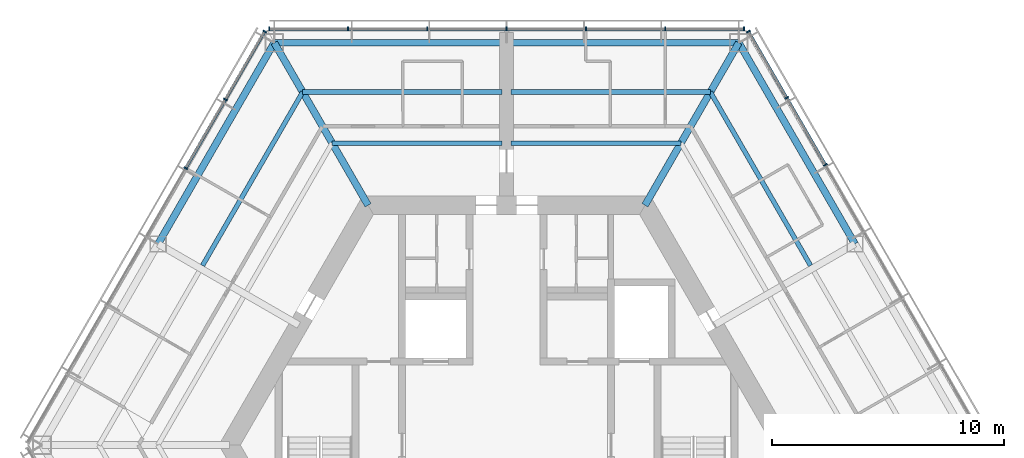
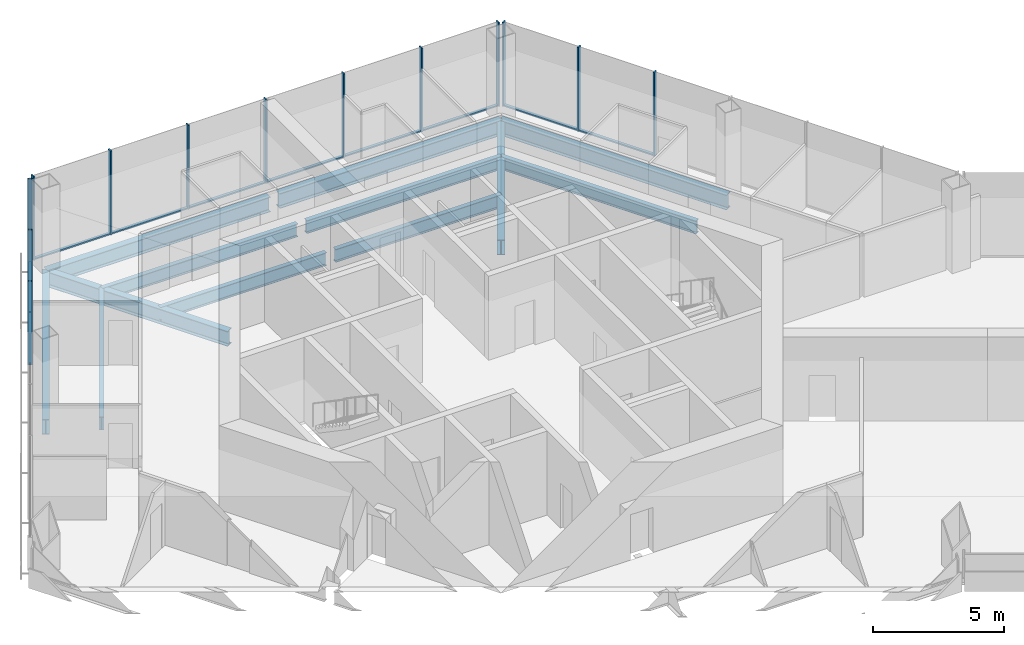
# One storey, part 5 of 13: 23 members, 12 beams, 3 elements without a shape of their own.
"""IFC4 building model written with IfcOpenShell, lengths in metres."""

from ifc_helpers import new_model, si_unit, direction, frame, origin, origin_2d, place, context, subcontext, project, spatial, rectangle, i_section, extrude, material, material_profile, profile_set, type_object, element, aggregate, save


model = new_model("IFC4")

# Units and contexts
model_context = context("Model", 3, precision=1e-05, world=origin(), true_north=direction((0.0, 1.0)))
body_context = subcontext(model_context, "Body", "Model", "MODEL_VIEW")
ifc_project = project(units=[si_unit("LENGTHUNIT", "METRE"), si_unit("AREAUNIT", "SQUARE_METRE"), si_unit("VOLUMEUNIT", "CUBIC_METRE"), si_unit("PLANEANGLEUNIT", "RADIAN"), si_unit("MASSUNIT", "GRAM", prefix="KILO")], contexts=[model_context])

# Site, building, storey
site_placement = place(None, origin())
site = spatial("IfcSite", under=ifc_project, at=site_placement, CompositionType="ELEMENT")
building_placement = place(site_placement, origin())
building = spatial("IfcBuilding", under=site, at=building_placement, Name="Kasaneha Research Tower", CompositionType="ELEMENT")
storey_placement = place(building_placement, frame((0.0, 0.0, 275.199951171875)))
storey = spatial("IfcBuildingStorey", under=building, at=storey_placement, Name="L69", CompositionType="ELEMENT", Elevation=275.199951171875)

# Beams
ifc_material_1 = material(Name="Steel SN490B", Category="steel")
ifc_material_profile_1 = material_profile(ifc_material_1, i_section(OverallWidth=0.199951171875, OverallDepth=0.60009765625, WebThickness=0.010986328125, FlangeThickness=0.01708984375, FilletRadius=0.012939453125, at=origin_2d()), Name="H-600x200x11x17")
ifc_profile_set_1 = profile_set([ifc_material_profile_1], Name="Steel SN490B")
beam_type_1 = type_object("IfcBeamType", Name="B1-3 secondary beam H-600x200x11x17", PredefinedType="JOIST", material=ifc_profile_set_1)
beam_1_placement = place(storey_placement, frame((8.775634765625, 15.199951171875, -0.449951171875), z_axis=(0.500017275495, -0.866015429543, 0.0), x_axis=(0.866015429543, 0.500017275495, 0.0)))
element("IfcBeam", 1, at=beam_1_placement, inside=storey, type_object=beam_type_1, Name="Secondary beam RS030R2 L69", PredefinedType="JOIST", context=body_context, shape_type="SweptSolid", body=[
    extrude(i_section(OverallWidth=0.199951171875, OverallDepth=0.60009765625, WebThickness=0.010986328125, FlangeThickness=0.01708984375, FilletRadius=0.012939453125, at=origin_2d()), origin(), (0.0, 0.0, 1.0), 8.625732421875),
])
beam_2_placement = place(storey_placement, frame((7.505615234375, 13.0, -0.449951171875), z_axis=(-1.0, 0.0, 0.0), x_axis=(0.0, -1.0, 0.0)))
element("IfcBeam", 2, at=beam_2_placement, inside=storey, type_object=beam_type_1, Name="Secondary beam RS090L1 L69", PredefinedType="JOIST", context=body_context, shape_type="SweptSolid", body=[
    extrude(i_section(OverallWidth=0.199951171875, OverallDepth=0.60009765625, WebThickness=0.010986328125, FlangeThickness=0.01708984375, FilletRadius=0.012939453125, at=origin_2d()), origin(), (0.0, 0.0, 1.0), 7.3056640625),
])
beam_3_placement = place(storey_placement, frame((8.775634765625, 15.199951171875, -0.449951171875), z_axis=(-1.0, 0.0, 0.0), x_axis=(0.0, -1.0, 0.0)))
element("IfcBeam", 3, at=beam_3_placement, inside=storey, type_object=beam_type_1, Name="Secondary beam RS090L2 L69", PredefinedType="JOIST", context=body_context, shape_type="SweptSolid", body=[
    extrude(i_section(OverallWidth=0.199951171875, OverallDepth=0.60009765625, WebThickness=0.010986328125, FlangeThickness=0.01708984375, FilletRadius=0.012939453125, at=origin_2d()), origin(), (0.0, 0.0, 1.0), 8.57568359375),
])
beam_4_placement = place(storey_placement, frame((-7.505615234375, 13.0, -0.449951171875), z_axis=(1.0, 0.0, 0.0), x_axis=(0.0, 1.0, 0.0)))
element("IfcBeam", 4, at=beam_4_placement, inside=storey, type_object=beam_type_1, Name="Secondary beam RS090R1 L69", PredefinedType="JOIST", context=body_context, shape_type="SweptSolid", body=[
    extrude(i_section(OverallWidth=0.199951171875, OverallDepth=0.60009765625, WebThickness=0.010986328125, FlangeThickness=0.01708984375, FilletRadius=0.012939453125, at=origin_2d()), origin(), (0.0, 0.0, 1.0), 7.3056640625),
])
beam_5_placement = place(storey_placement, frame((-8.775634765625, 15.199951171875, -0.449951171875), z_axis=(1.0, 0.0, 0.0), x_axis=(0.0, 1.0, 0.0)))
element("IfcBeam", 5, at=beam_5_placement, inside=storey, type_object=beam_type_1, Name="Secondary beam RS090R2 L69", PredefinedType="JOIST", context=body_context, shape_type="SweptSolid", body=[
    extrude(i_section(OverallWidth=0.199951171875, OverallDepth=0.60009765625, WebThickness=0.010986328125, FlangeThickness=0.01708984375, FilletRadius=0.012939453125, at=origin_2d()), origin(), (0.0, 0.0, 1.0), 8.57568359375),
])
beam_6_placement = place(storey_placement, frame((-8.775634765625, 15.199951171875, -0.449951171875), z_axis=(-0.500017275495, -0.866015429543, 0.0), x_axis=(0.866015429543, -0.500017275495, 0.0)))
element("IfcBeam", 6, at=beam_6_placement, inside=storey, type_object=beam_type_1, Name="Secondary beam RS150L2 L69", PredefinedType="JOIST", context=body_context, shape_type="SweptSolid", body=[
    extrude(i_section(OverallWidth=0.199951171875, OverallDepth=0.60009765625, WebThickness=0.010986328125, FlangeThickness=0.01708984375, FilletRadius=0.012939453125, at=origin_2d()), origin(), (0.0, 0.0, 1.0), 8.625732421875),
])

# Curtain wall, members
ifc_material_2 = material(Name="Glass and aluminium", Category="aluminium")
curtain_wall_type = type_object("IfcCurtainWallType", Name="Crown curtain wall", PredefinedType="USERDEFINED", material=ifc_material_2)
curtain_wall_1_placement = place(storey_placement, origin())
curtain_wall_1 = element("IfcCurtainWall", 7, at=curtain_wall_1_placement, inside=storey, type_object=curtain_wall_type, Name="CW-C L69 run 01a", ObjectType="UNITISED CURTAIN WALL", PredefinedType="USERDEFINED")
ifc_material_3 = material(Name="Aluminium 6063-T6", Category="aluminium")
ifc_material_profile_2 = material_profile(ifc_material_3, rectangle(XDim=0.06005859375, YDim=0.179931640625, at=origin_2d()), Name="CW-C mullion 60x180")
ifc_profile_set_2 = profile_set([ifc_material_profile_2], Name="Aluminium 6063-T6")
member_type_1 = type_object("IfcMemberType", Name="CW-C mullion", PredefinedType="MULLION", material=ifc_profile_set_2)
member_1_placement = place(storey_placement, frame((13.727294921875, 12.064453125, 0.0), z_axis=(0.0, 0.0, 1.0), x_axis=(-0.499999979232, 0.866025415775, 0.0)))
member_1 = element("IfcMember", 8, at=member_1_placement, type_object=member_type_1, Name="CW-C mullion 5", PredefinedType="MULLION", context=body_context, shape_type="SweptSolid", body=[
    extrude(rectangle(XDim=0.06005859375, YDim=0.179931640625, at=origin_2d()), origin(), (0.0, 0.0, 1.0), 3.900146484375),
])
member_2_placement = place(storey_placement, frame((12.061767578125, 14.94921875, 0.0), z_axis=(0.0, 0.0, 1.0), x_axis=(-0.499999979232, 0.866025415775, 0.0)))
member_2 = element("IfcMember", 9, at=member_2_placement, type_object=member_type_1, Name="CW-C mullion 6", PredefinedType="MULLION", context=body_context, shape_type="SweptSolid", body=[
    extrude(rectangle(XDim=0.06005859375, YDim=0.179931640625, at=origin_2d()), origin(), (0.0, 0.0, 1.0), 3.900146484375),
])
member_3_placement = place(storey_placement, frame((10.411376953125, 17.807861328125, 0.0), z_axis=(0.0, 0.0, 1.0), x_axis=(-0.499999979232, 0.866025415775, 0.0)))
member_3 = element("IfcMember", 10, at=member_3_placement, type_object=member_type_1, Name="CW-C mullion 7", PredefinedType="MULLION", context=body_context, shape_type="SweptSolid", body=[
    extrude(rectangle(XDim=0.06005859375, YDim=0.179931640625, at=origin_2d()), origin(), (0.0, 0.0, 1.0), 3.900146484375),
])

curtain_wall_2_placement = place(storey_placement, origin())
curtain_wall_2 = element("IfcCurtainWall", 11, at=curtain_wall_2_placement, inside=storey, type_object=curtain_wall_type, Name="CW-C L69 run 02a", ObjectType="UNITISED CURTAIN WALL", PredefinedType="USERDEFINED")
member_4_placement = place(storey_placement, frame((10.21630859375, 17.92041015625, 0.0), z_axis=(0.0, 0.0, 1.0), x_axis=(-1.0, 0.0, 0.0)))
member_4 = element("IfcMember", 12, at=member_4_placement, type_object=member_type_1, Name="CW-C mullion 1", PredefinedType="MULLION", context=body_context, shape_type="SweptSolid", body=[
    extrude(rectangle(XDim=0.06005859375, YDim=0.179931640625, at=origin_2d()), origin(), (0.0, 0.0, 1.0), 3.900146484375),
])
member_5_placement = place(storey_placement, frame((6.8310546875, 17.92041015625, 0.0), z_axis=(0.0, 0.0, 1.0), x_axis=(-1.0, 0.0, 0.0)))
member_5 = element("IfcMember", 13, at=member_5_placement, type_object=member_type_1, Name="CW-C mullion 2", PredefinedType="MULLION", context=body_context, shape_type="SweptSolid", body=[
    extrude(rectangle(XDim=0.06005859375, YDim=0.179931640625, at=origin_2d()), origin(), (0.0, 0.0, 1.0), 3.900146484375),
])
member_6_placement = place(storey_placement, frame((3.41552734375, 17.92041015625, 0.0), z_axis=(0.0, 0.0, 1.0), x_axis=(-1.0, 0.0, 0.0)))
member_6 = element("IfcMember", 14, at=member_6_placement, type_object=member_type_1, Name="CW-C mullion 3", PredefinedType="MULLION", context=body_context, shape_type="SweptSolid", body=[
    extrude(rectangle(XDim=0.06005859375, YDim=0.179931640625, at=origin_2d()), origin(), (0.0, 0.0, 1.0), 3.900146484375),
])
member_7_placement = place(storey_placement, frame((0.0, 17.92041015625, 0.0), z_axis=(0.0, 0.0, 1.0), x_axis=(-1.0, 0.0, 0.0)))
member_7 = element("IfcMember", 15, at=member_7_placement, type_object=member_type_1, Name="CW-C mullion 4", PredefinedType="MULLION", context=body_context, shape_type="SweptSolid", body=[
    extrude(rectangle(XDim=0.06005859375, YDim=0.179931640625, at=origin_2d()), origin(), (0.0, 0.0, 1.0), 3.900146484375),
])
member_8_placement = place(storey_placement, frame((-3.41552734375, 17.92041015625, 0.0), z_axis=(0.0, 0.0, 1.0), x_axis=(-1.0, 0.0, 0.0)))
member_8 = element("IfcMember", 16, at=member_8_placement, type_object=member_type_1, Name="CW-C mullion 5", PredefinedType="MULLION", context=body_context, shape_type="SweptSolid", body=[
    extrude(rectangle(XDim=0.06005859375, YDim=0.179931640625, at=origin_2d()), origin(), (0.0, 0.0, 1.0), 3.900146484375),
])
member_9_placement = place(storey_placement, frame((-6.8310546875, 17.92041015625, 0.0), z_axis=(0.0, 0.0, 1.0), x_axis=(-1.0, 0.0, 0.0)))
member_9 = element("IfcMember", 17, at=member_9_placement, type_object=member_type_1, Name="CW-C mullion 6", PredefinedType="MULLION", context=body_context, shape_type="SweptSolid", body=[
    extrude(rectangle(XDim=0.06005859375, YDim=0.179931640625, at=origin_2d()), origin(), (0.0, 0.0, 1.0), 3.900146484375),
])
member_10_placement = place(storey_placement, frame((-10.21630859375, 17.92041015625, 0.0), z_axis=(0.0, 0.0, 1.0), x_axis=(-1.0, 0.0, 0.0)))
member_10 = element("IfcMember", 18, at=member_10_placement, type_object=member_type_1, Name="CW-C mullion 7", PredefinedType="MULLION", context=body_context, shape_type="SweptSolid", body=[
    extrude(rectangle(XDim=0.06005859375, YDim=0.179931640625, at=origin_2d()), origin(), (0.0, 0.0, 1.0), 3.900146484375),
])

curtain_wall_3_placement = place(storey_placement, origin())
curtain_wall_3 = element("IfcCurtainWall", 19, at=curtain_wall_3_placement, inside=storey, type_object=curtain_wall_type, Name="CW-C L69 run 03a", ObjectType="UNITISED CURTAIN WALL", PredefinedType="USERDEFINED")
member_11_placement = place(storey_placement, frame((-10.411376953125, 17.807861328125, 0.0), z_axis=(0.0, 0.0, 1.0), x_axis=(-0.499999995722, -0.866025406254, 0.0)))
member_11 = element("IfcMember", 20, at=member_11_placement, type_object=member_type_1, Name="CW-C mullion 1", PredefinedType="MULLION", context=body_context, shape_type="SweptSolid", body=[
    extrude(rectangle(XDim=0.06005859375, YDim=0.179931640625, at=origin_2d()), origin(), (0.0, 0.0, 1.0), 3.900146484375),
])
member_12_placement = place(storey_placement, frame((-12.104248046875, 14.8759765625, 0.0), z_axis=(0.0, 0.0, 1.0), x_axis=(-0.499999995722, -0.866025406254, 0.0)))
member_12 = element("IfcMember", 21, at=member_12_placement, type_object=member_type_1, Name="CW-C mullion 2", PredefinedType="MULLION", context=body_context, shape_type="SweptSolid", body=[
    extrude(rectangle(XDim=0.06005859375, YDim=0.179931640625, at=origin_2d()), origin(), (0.0, 0.0, 1.0), 3.900146484375),
])
member_13_placement = place(storey_placement, frame((-13.811767578125, 11.918212890625, 0.0), z_axis=(0.0, 0.0, 1.0), x_axis=(-0.499999995722, -0.866025406254, 0.0)))
member_13 = element("IfcMember", 22, at=member_13_placement, type_object=member_type_1, Name="CW-C mullion 3", PredefinedType="MULLION", context=body_context, shape_type="SweptSolid", body=[
    extrude(rectangle(XDim=0.06005859375, YDim=0.179931640625, at=origin_2d()), origin(), (0.0, 0.0, 1.0), 3.900146484375),
])

# Member
ifc_material_4 = material(Name="Aluminium 6063-T6", Category="aluminium")
ifc_material_profile_3 = material_profile(ifc_material_4, rectangle(XDim=0.1298828125, YDim=0.06005859375, at=origin_2d()), Name="CW-C transom 130x60")
ifc_profile_set_3 = profile_set([ifc_material_profile_3], Name="Aluminium 6063-T6")
member_type_2 = type_object("IfcMemberType", Name="CW-C transom", PredefinedType="USERDEFINED", material=ifc_profile_set_3)
member_14_placement = place(storey_placement, frame((13.71240234375, 12.090576171875, 0.030029296875), z_axis=(-0.500000270186, 0.866025247793, 0.0), x_axis=(-0.866025247793, -0.500000270186, 0.0)))
member_14 = element("IfcMember", 23, at=member_14_placement, type_object=member_type_2, Name="CW-C transom 5", ObjectType="TRANSOM", PredefinedType="USERDEFINED", context=body_context, shape_type="SweptSolid", body=[
    extrude(rectangle(XDim=0.1298828125, YDim=0.06005859375, at=origin_2d()), origin(), (0.0, 0.0, 1.0), 3.27099609375),
])

member_15_placement = place(storey_placement, frame((12.046875, 14.97509765625, 0.030029296875), z_axis=(-0.499955025697, 0.866051368154, 0.0), x_axis=(-0.866051368154, -0.499955025697, 0.0)))
member_15 = element("IfcMember", 24, at=member_15_placement, type_object=member_type_2, Name="CW-C transom 6", ObjectType="TRANSOM", PredefinedType="USERDEFINED", context=body_context, shape_type="SweptSolid", body=[
    extrude(rectangle(XDim=0.1298828125, YDim=0.06005859375, at=origin_2d()), origin(), (0.0, 0.0, 1.0), 3.240966796875),
])

aggregate(curtain_wall_1, [member_1, member_2, member_3, member_14, member_15])

member_16_placement = place(storey_placement, frame((10.1865234375, 17.92041015625, 0.030029296875), z_axis=(-1.0, 0.0, 0.0), x_axis=(0.0, -1.0, 0.0)))
member_16 = element("IfcMember", 25, at=member_16_placement, type_object=member_type_2, Name="CW-C transom 1", ObjectType="TRANSOM", PredefinedType="USERDEFINED", context=body_context, shape_type="SweptSolid", body=[
    extrude(rectangle(XDim=0.1298828125, YDim=0.06005859375, at=origin_2d()), origin(), (0.0, 0.0, 1.0), 3.32568359375),
])

member_17_placement = place(storey_placement, frame((6.801025390625, 17.92041015625, 0.030029296875), z_axis=(-1.0, 0.0, 0.0), x_axis=(0.0, -1.0, 0.0)))
member_17 = element("IfcMember", 26, at=member_17_placement, type_object=member_type_2, Name="CW-C transom 2", ObjectType="TRANSOM", PredefinedType="USERDEFINED", context=body_context, shape_type="SweptSolid", body=[
    extrude(rectangle(XDim=0.1298828125, YDim=0.06005859375, at=origin_2d()), origin(), (0.0, 0.0, 1.0), 3.35546875),
])

member_18_placement = place(storey_placement, frame((3.385498046875, 17.92041015625, 0.030029296875), z_axis=(-1.0, 0.0, 0.0), x_axis=(0.0, -1.0, 0.0)))
member_18 = element("IfcMember", 27, at=member_18_placement, type_object=member_type_2, Name="CW-C transom 3", ObjectType="TRANSOM", PredefinedType="USERDEFINED", context=body_context, shape_type="SweptSolid", body=[
    extrude(rectangle(XDim=0.1298828125, YDim=0.06005859375, at=origin_2d()), origin(), (0.0, 0.0, 1.0), 3.35546875),
])

member_19_placement = place(storey_placement, frame((-0.030029296875, 17.92041015625, 0.030029296875), z_axis=(-1.0, 0.0, 0.0), x_axis=(0.0, -1.0, 0.0)))
member_19 = element("IfcMember", 28, at=member_19_placement, type_object=member_type_2, Name="CW-C transom 4", ObjectType="TRANSOM", PredefinedType="USERDEFINED", context=body_context, shape_type="SweptSolid", body=[
    extrude(rectangle(XDim=0.1298828125, YDim=0.06005859375, at=origin_2d()), origin(), (0.0, 0.0, 1.0), 3.35546875),
])

member_20_placement = place(storey_placement, frame((-3.445556640625, 17.92041015625, 0.030029296875), z_axis=(-1.0, 0.0, 0.0), x_axis=(0.0, -1.0, 0.0)))
member_20 = element("IfcMember", 29, at=member_20_placement, type_object=member_type_2, Name="CW-C transom 5", ObjectType="TRANSOM", PredefinedType="USERDEFINED", context=body_context, shape_type="SweptSolid", body=[
    extrude(rectangle(XDim=0.1298828125, YDim=0.06005859375, at=origin_2d()), origin(), (0.0, 0.0, 1.0), 3.35546875),
])

member_21_placement = place(storey_placement, frame((-6.86083984375, 17.92041015625, 0.030029296875), z_axis=(-1.0, 0.0, 0.0), x_axis=(0.0, -1.0, 0.0)))
member_21 = element("IfcMember", 30, at=member_21_placement, type_object=member_type_2, Name="CW-C transom 6", ObjectType="TRANSOM", PredefinedType="USERDEFINED", context=body_context, shape_type="SweptSolid", body=[
    extrude(rectangle(XDim=0.1298828125, YDim=0.06005859375, at=origin_2d()), origin(), (0.0, 0.0, 1.0), 3.32568359375),
])

aggregate(curtain_wall_2, [member_4, member_5, member_6, member_7, member_8, member_9, member_10, member_16, member_17, member_18, member_19, member_20, member_21])

member_22_placement = place(storey_placement, frame((-10.426513671875, 17.781982421875, 0.030029296875), z_axis=(-0.49997666526, -0.866038875684, 0.0), x_axis=(0.866038875684, -0.49997666526, 0.0)))
member_22 = element("IfcMember", 31, at=member_22_placement, type_object=member_type_2, Name="CW-C transom 1", ObjectType="TRANSOM", PredefinedType="USERDEFINED", context=body_context, shape_type="SweptSolid", body=[
    extrude(rectangle(XDim=0.1298828125, YDim=0.06005859375, at=origin_2d()), origin(), (0.0, 0.0, 1.0), 3.325439453125),
])

member_23_placement = place(storey_placement, frame((-12.119140625, 14.85009765625, 0.030029296875), z_axis=(-0.499989072476, -0.866031712701, 0.0), x_axis=(0.866031712701, -0.499989072476, 0.0)))
member_23 = element("IfcMember", 32, at=member_23_placement, type_object=member_type_2, Name="CW-C transom 2", ObjectType="TRANSOM", PredefinedType="USERDEFINED", context=body_context, shape_type="SweptSolid", body=[
    extrude(rectangle(XDim=0.1298828125, YDim=0.06005859375, at=origin_2d()), origin(), (0.0, 0.0, 1.0), 3.35546875),
])

aggregate(curtain_wall_3, [member_11, member_12, member_13, member_22, member_23])

# Beams
ifc_material_5 = material(Name="Steel SN490B", Category="steel")
ifc_material_profile_4 = material_profile(ifc_material_5, i_section(OverallWidth=0.300048828125, OverallDepth=0.699951171875, WebThickness=0.012939453125, FlangeThickness=0.02392578125, FilletRadius=0.01806640625, at=origin_2d()), Name="H-700x300x13x24")
ifc_profile_set_4 = profile_set([ifc_material_profile_4], Name="Steel SN490B")
beam_type_2 = type_object("IfcBeamType", Name="G1-3 radial girder H-700x300x13x24", PredefinedType="BEAM", material=ifc_profile_set_4)
for number, where, z_axis, x_axis, name in (
    (33, (5.961181640625, 10.324951171875, -0.5), (0.49999105496, 0.866030568144, 0.0), (-0.866030568144, 0.49999105496, 0.0), "Radial girder RV060 L69"),
    (34, (-5.961181640625, 10.324951171875, -0.5), (-0.49999105496, 0.866030568144, 0.0), (-0.866030568144, -0.49999105496, 0.0), "Radial girder RV120 L69"),
):
    element("IfcBeam", number, at=place(storey_placement, frame(where, z_axis=z_axis, x_axis=x_axis)), inside=storey, type_object=beam_type_2, Name=name, PredefinedType="BEAM", context=body_context, shape_type="SweptSolid", body=[
        extrude(i_section(OverallWidth=0.300048828125, OverallDepth=0.699951171875, WebThickness=0.012939453125, FlangeThickness=0.02392578125, FilletRadius=0.01806640625, at=origin_2d()), origin(), (0.0, 0.0, 1.0), 8.077880859375),
    ])
ifc_material_6 = material(Name="Steel SN490B", Category="steel")
ifc_material_profile_5 = material_profile(ifc_material_6, i_section(OverallWidth=0.300048828125, OverallDepth=0.69189453125, WebThickness=0.012939453125, FlangeThickness=0.02001953125, FilletRadius=0.01806640625, at=origin_2d()), Name="H-692x300x13x20")
ifc_profile_set_5 = profile_set([ifc_material_profile_5], Name="Steel SN490B")
beam_type_3 = type_object("IfcBeamType", Name="G3-3 plate edge girder H-692x300x13x20", PredefinedType="BEAM", material=ifc_profile_set_5)
for number, where, z_axis, x_axis, name in (
    (35, (10.0, 17.320556640625, -0.495849609375), (-1.0, 0.0, 0.0), (0.0, -1.0, 0.0), "Plate edge girder PEAP L69"),
    (36, (-10.0, 17.320556640625, -0.495849609375), (1.0, 0.0, 0.0), (0.0, 1.0, 0.0), "Plate edge girder PEAN L69"),
):
    element("IfcBeam", number, at=place(storey_placement, frame(where, z_axis=z_axis, x_axis=x_axis)), inside=storey, type_object=beam_type_3, Name=name, PredefinedType="BEAM", context=body_context, shape_type="SweptSolid", body=[
        extrude(i_section(OverallWidth=0.300048828125, OverallDepth=0.69189453125, WebThickness=0.012939453125, FlangeThickness=0.02001953125, FilletRadius=0.01806640625, at=origin_2d()), origin(), (0.0, 0.0, 1.0), 9.800048828125),
    ])
ifc_material_7 = material(Name="Steel SN490B", Category="steel")
ifc_material_profile_6 = material_profile(ifc_material_7, i_section(OverallWidth=0.300048828125, OverallDepth=0.69189453125, WebThickness=0.012939453125, FlangeThickness=0.02001953125, FilletRadius=0.01806640625, at=origin_2d()), Name="H-692x300x13x20")
ifc_profile_set_6 = profile_set([ifc_material_profile_6], Name="Steel SN490B")
beam_type_4 = type_object("IfcBeamType", Name="SB1-3 spandrel beam H-692x300x13x20", PredefinedType="SPANDREL", material=ifc_profile_set_6)
for number, where, z_axis, x_axis, name in (
    (37, (10.0, 17.320556640625, -0.495849609375), (0.499993662806, -0.866029062534, 0.0), (0.866029062534, 0.499993662806, 0.0), "Spandrel beam SR030R L69"),
    (38, (-10.0, 17.320556640625, -0.495849609375), (-0.499993662806, -0.866029062534, 0.0), (0.866029062534, -0.499993662806, 0.0), "Spandrel beam SR150L L69"),
):
    element("IfcBeam", number, at=place(storey_placement, frame(where, z_axis=z_axis, x_axis=x_axis)), inside=storey, type_object=beam_type_4, Name=name, PredefinedType="SPANDREL", context=body_context, shape_type="SweptSolid", body=[
        extrude(i_section(OverallWidth=0.300048828125, OverallDepth=0.69189453125, WebThickness=0.012939453125, FlangeThickness=0.02001953125, FilletRadius=0.01806640625, at=origin_2d()), origin(), (0.0, 0.0, 1.0), 10.000244140625),
    ])

save(model, "model.ifc")
